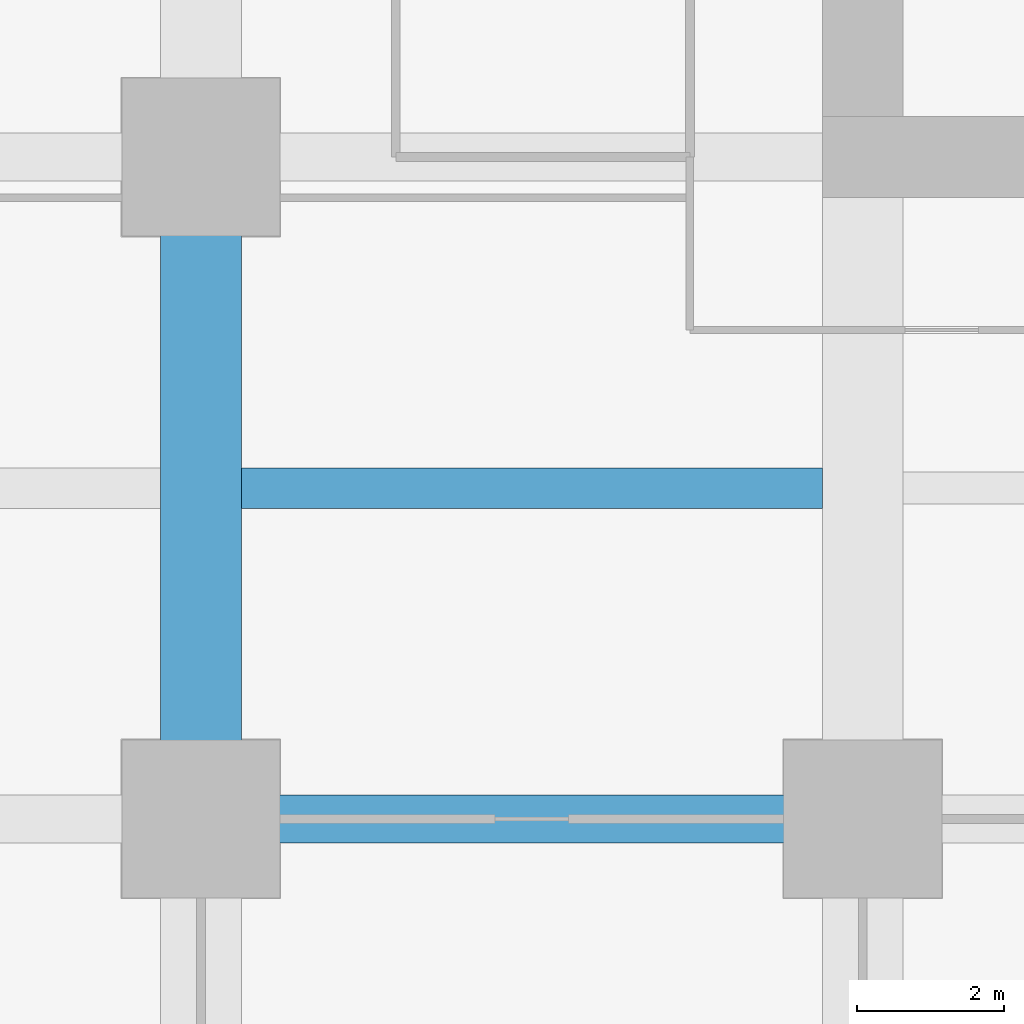
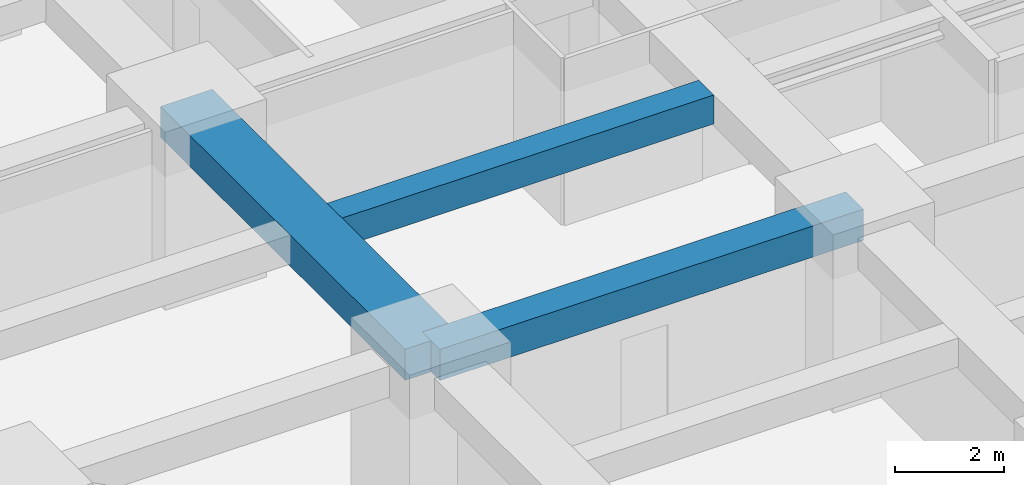
# One storey, part 5 of 44: 3 beams.
"""IFC4 building model written with IfcOpenShell, lengths in metres."""

from ifc_helpers import new_model, si_unit, direction, frame, origin, origin_2d, place, context, subcontext, project, spatial, rectangle, extrude, material, material_profile, profile_set, type_object, element, save


model = new_model("IFC4")

# Units and contexts
model_context = context("Model", 3, precision=1e-05, world=origin(), true_north=direction((0.0, 1.0)))
body_context = subcontext(model_context, "Body", "Model", "MODEL_VIEW")
ifc_project = project(units=[si_unit("LENGTHUNIT", "METRE"), si_unit("AREAUNIT", "SQUARE_METRE"), si_unit("VOLUMEUNIT", "CUBIC_METRE"), si_unit("PLANEANGLEUNIT", "RADIAN"), si_unit("MASSUNIT", "GRAM", prefix="KILO")], contexts=[model_context])

# Site, building, storey
site_placement = place(None, origin())
site = spatial("IfcSite", under=ifc_project, at=site_placement, CompositionType="ELEMENT")
building_placement = place(site_placement, origin())
building = spatial("IfcBuilding", under=site, at=building_placement, Name="Zorevar Civic Tower", CompositionType="ELEMENT")
storey_placement = place(building_placement, frame((0.0, 0.0, 51.800048828125)))
storey = spatial("IfcBuildingStorey", under=building, at=storey_placement, Name="L12", CompositionType="ELEMENT", Elevation=51.800048828125)

# Beams
ifc_material_1 = material(Name="Concrete C50/60", Category="concrete")
ifc_material_profile_1 = material_profile(ifc_material_1, rectangle(XDim=1.10009765625, YDim=0.699951171875, at=origin_2d()), Name="RC 1100x700")
ifc_profile_set_1 = profile_set([ifc_material_profile_1], Name="Concrete C50/60")
beam_type_1 = type_object("IfcBeamType", Name="Beam RC 1100x700", PredefinedType="BEAM", material=ifc_profile_set_1)
beam_1_placement = place(storey_placement, frame((9.0, 9.0, 3.39990234375), z_axis=(0.0, 1.0, 0.0), x_axis=(-1.0, 0.0, 0.0)))
element("IfcBeam", 1, at=beam_1_placement, inside=storey, type_object=beam_type_1, Name="Girder L13", PredefinedType="BEAM", context=body_context, shape_type="SweptSolid", body=[
    extrude(rectangle(XDim=1.10009765625, YDim=0.699951171875, at=origin_2d()), origin(), (0.0, 0.0, 1.0), 9.0),
])
ifc_material_2 = material(Name="Concrete C50/60", Category="concrete")
ifc_material_profile_2 = material_profile(ifc_material_2, rectangle(XDim=0.550048828125, YDim=0.64990234375, at=origin_2d()), Name="RC 550x650")
ifc_profile_set_2 = profile_set([ifc_material_profile_2], Name="Concrete C50/60")
beam_type_2 = type_object("IfcBeamType", Name="Beam RC 550x650", PredefinedType="BEAM", material=ifc_profile_set_2)
beam_2_placement = place(storey_placement, frame((9.550048828125, 13.5, 3.425048828125), z_axis=(1.0, 0.0, 0.0), x_axis=(0.0, 1.0, 0.0)))
element("IfcBeam", 2, at=beam_2_placement, inside=storey, type_object=beam_type_2, Name="Secondary beam L13", PredefinedType="BEAM", context=body_context, shape_type="SweptSolid", body=[
    extrude(rectangle(XDim=0.550048828125, YDim=0.64990234375, at=origin_2d()), origin(), (0.0, 0.0, 1.0), 7.89990234375),
])
ifc_material_3 = material(Name="Concrete C50/60", Category="concrete")
ifc_material_profile_3 = material_profile(ifc_material_3, rectangle(XDim=0.64990234375, YDim=0.699951171875, at=origin_2d()), Name="RC 650x700")
ifc_profile_set_3 = profile_set([ifc_material_profile_3], Name="Concrete C50/60")
beam_type_3 = type_object("IfcBeamType", Name="Beam RC 650x700", PredefinedType="BEAM", material=ifc_profile_set_3)
beam_3_placement = place(storey_placement, frame((9.0, 9.0, 3.39990234375), z_axis=(1.0, 0.0, 0.0), x_axis=(0.0, 1.0, 0.0)))
element("IfcBeam", 3, at=beam_3_placement, inside=storey, type_object=beam_type_3, Name="Girder L13", PredefinedType="BEAM", context=body_context, shape_type="SweptSolid", body=[
    extrude(rectangle(XDim=0.64990234375, YDim=0.699951171875, at=origin_2d()), origin(), (0.0, 0.0, 1.0), 9.0),
])

save(model, "model.ifc")
